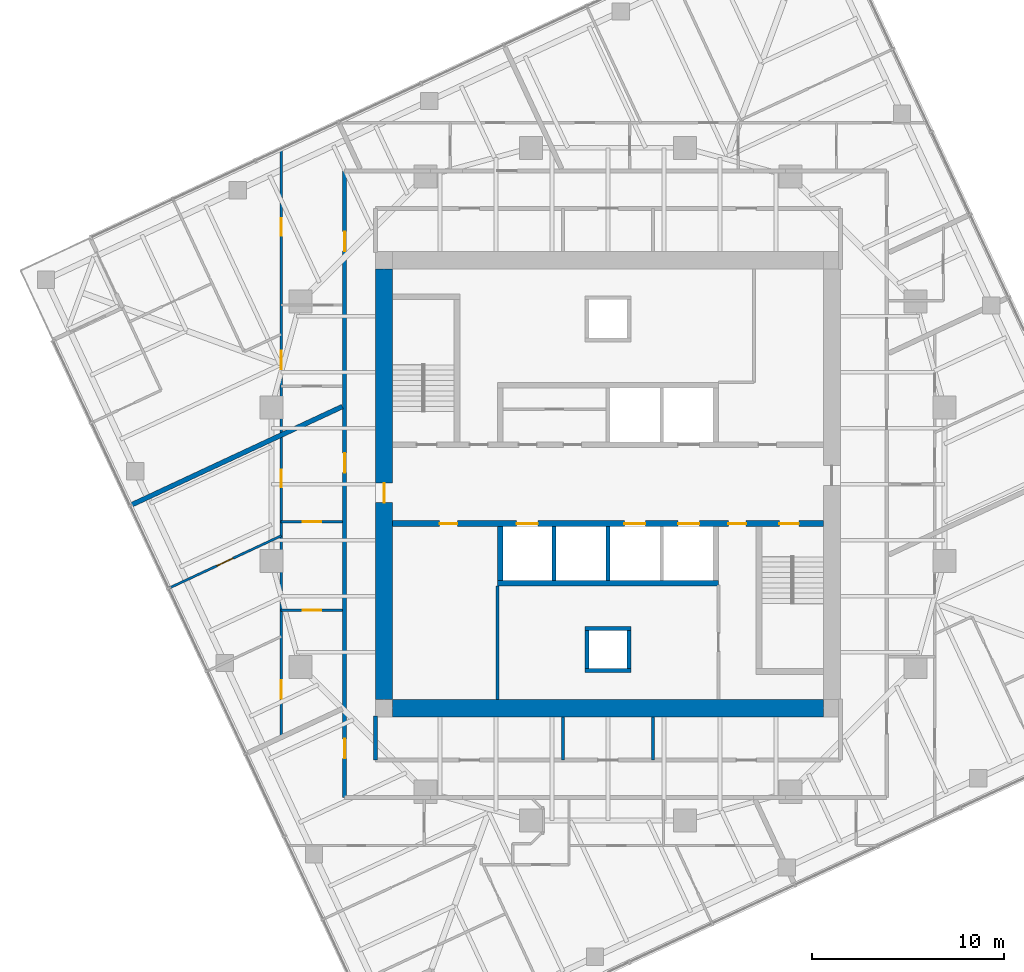
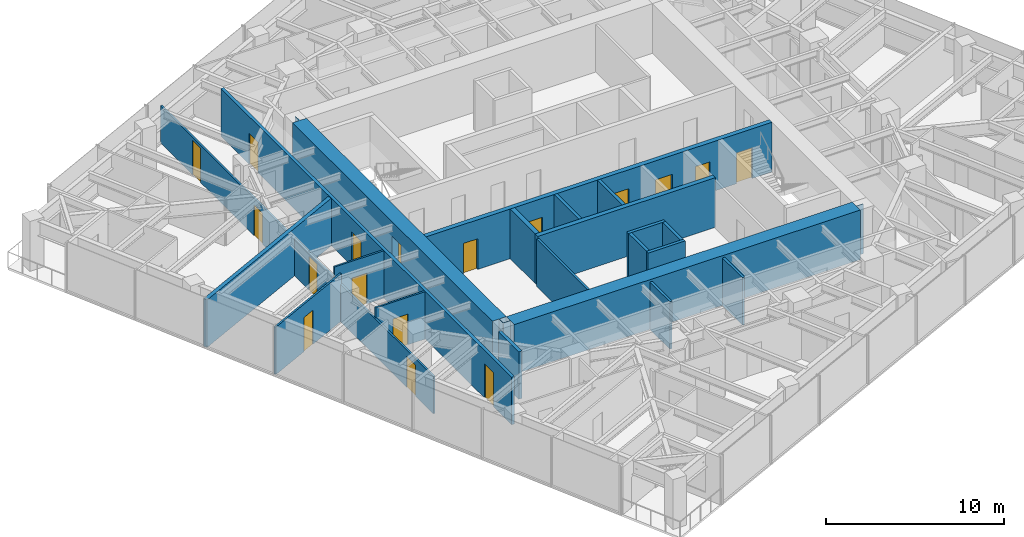
# One storey, part 8 of 13: 21 walls, 17 doors, 17 openings.
"""IFC4 building model written with IfcOpenShell, lengths in metres."""

from ifc_helpers import new_model, si_unit, direction, frame, frame_2d, origin, place, context, subcontext, project, spatial, polyline, rectangle, outline, extrude, material, layer, layer_set, type_object, element, fill, save


model = new_model("IFC4")

# Units and contexts
model_context = context("Model", 3, precision=1e-05, world=origin(), true_north=direction((0.0, 1.0)))
body_context = subcontext(model_context, "Body", "Model", "MODEL_VIEW")
ifc_project = project(units=[si_unit("LENGTHUNIT", "METRE"), si_unit("AREAUNIT", "SQUARE_METRE"), si_unit("VOLUMEUNIT", "CUBIC_METRE"), si_unit("PLANEANGLEUNIT", "RADIAN"), si_unit("MASSUNIT", "GRAM", prefix="KILO")], contexts=[model_context])

# Site, building, storey
site_placement = place(None, origin())
site = spatial("IfcSite", under=ifc_project, at=site_placement, CompositionType="ELEMENT")
building_placement = place(site_placement, origin())
building = spatial("IfcBuilding", under=site, at=building_placement, Name="Torsade Residences", CompositionType="ELEMENT")
storey_placement = place(building_placement, frame((0.0, 0.0, 176.0)))
storey = spatial("IfcBuildingStorey", under=building, at=storey_placement, Name="L48", CompositionType="ELEMENT", Elevation=176.0)

# Wall, openings, doors
ifc_material_1 = material(Name="Concrete 80 MPa", Category="concrete")
ifc_layer_1 = layer(ifc_material_1, 0.300048828125)
ifc_layer_set_1 = layer_set([ifc_layer_1], Name="Concrete 80 MPa")
wall_type_1 = type_object("IfcWallType", Name="CORE INTERNAL WALL 300", PredefinedType="SHEAR", material=ifc_layer_set_1)
wall_1_placement = place(storey_placement, frame((51.199951171875, 27.949951171875, 0.0), z_axis=(0.0, 0.0, 1.0), x_axis=(-1.0, 0.0, 0.0)))
wall_1 = element("IfcWall", 1, at=wall_1_placement, inside=storey, type_object=wall_type_1, Name="Core wall LS L48", PredefinedType="SHEAR", context=body_context, shape_type="SweptSolid", body=[
    extrude(rectangle(XDim=22.39990234375, YDim=0.300048828125, at=frame_2d((11.199951171875, 0.0))), origin(), (0.0, 0.0, 1.0), 3.39990234375),
])
opening_1_placement = place(wall_1_placement, frame((19.0400390625, 0.0, 0.0)))
opening_1 = element("IfcOpeningElement", 2, at=opening_1_placement, cuts=wall_1, Name="Opening D06", PredefinedType="OPENING", context=body_context, shape_type="SweptSolid", body=[
    extrude(rectangle(XDim=0.919921875, YDim=2.10009765625, at=frame_2d((0.4599609375, 1.050048828125))), frame((0.0, 0.159912109375, 0.0), z_axis=(0.0, -1.0, 0.0), x_axis=(1.0, 0.0, 0.0)), (0.0, 0.0, 1.0), 0.320068359375),
])
opening_2_placement = place(wall_1_placement, frame((1.264892578125, 0.0, 0.0)))
opening_2 = element("IfcOpeningElement", 3, at=opening_2_placement, cuts=wall_1, Name="Opening D03", PredefinedType="OPENING", context=body_context, shape_type="SweptSolid", body=[
    extrude(rectangle(XDim=1.02001953125, YDim=2.10009765625, at=frame_2d((0.510009765625, 1.050048828125))), frame((0.0, 0.159912109375, 0.0), z_axis=(0.0, -1.0, 0.0), x_axis=(1.0, 0.0, 0.0)), (0.0, 0.0, 1.0), 0.320068359375),
])
opening_3_placement = place(wall_1_placement, frame((4.014892578125, 0.0, 0.0)))
opening_3 = element("IfcOpeningElement", 4, at=opening_3_placement, cuts=wall_1, Name="Opening D06", PredefinedType="OPENING", context=body_context, shape_type="SweptSolid", body=[
    extrude(rectangle(XDim=0.919921875, YDim=2.10009765625, at=frame_2d((0.4599609375, 1.050048828125))), frame((0.0, 0.159912109375, 0.0), z_axis=(0.0, -1.0, 0.0), x_axis=(1.0, 0.0, 0.0)), (0.0, 0.0, 1.0), 0.320068359375),
])
opening_4_placement = place(wall_1_placement, frame((6.449951171875, 0.0, 0.0)))
opening_4 = element("IfcOpeningElement", 5, at=opening_4_placement, cuts=wall_1, Name="Opening LD", PredefinedType="OPENING", context=body_context, shape_type="SweptSolid", body=[
    extrude(rectangle(XDim=1.10009765625, YDim=2.10009765625, at=frame_2d((0.550048828125, 1.050048828125))), frame((0.0, 0.159912109375, 0.0), z_axis=(0.0, -1.0, 0.0), x_axis=(1.0, 0.0, 0.0)), (0.0, 0.0, 1.0), 0.320068359375),
])
opening_5_placement = place(wall_1_placement, frame((9.25, 0.0, 0.0)))
opening_5 = element("IfcOpeningElement", 6, at=opening_5_placement, cuts=wall_1, Name="Opening LD", PredefinedType="OPENING", context=body_context, shape_type="SweptSolid", body=[
    extrude(rectangle(XDim=1.10009765625, YDim=2.10009765625, at=frame_2d((0.550048828125, 1.050048828125))), frame((0.0, 0.159912109375, 0.0), z_axis=(0.0, -1.0, 0.0), x_axis=(1.0, 0.0, 0.0)), (0.0, 0.0, 1.0), 0.320068359375),
])
opening_6_placement = place(wall_1_placement, frame((14.85009765625, 0.0, 0.0)))
opening_6 = element("IfcOpeningElement", 7, at=opening_6_placement, cuts=wall_1, Name="Opening LD", PredefinedType="OPENING", context=body_context, shape_type="SweptSolid", body=[
    extrude(rectangle(XDim=1.10009765625, YDim=2.10009765625, at=frame_2d((0.550048828125, 1.050048828125))), frame((0.0, 0.159912109375, 0.0), z_axis=(0.0, -1.0, 0.0), x_axis=(1.0, 0.0, 0.0)), (0.0, 0.0, 1.0), 0.320068359375),
])
ifc_material_2 = material(Name="Steel-framed fire door", Category="steel")
door_type_1 = type_object("IfcDoorType", Name="FIRE DOOR 1020", OperationType="NOTDEFINED", PredefinedType="DOOR", material=ifc_material_2)
door_1_placement = place(opening_2_placement, origin())
door_1 = element("IfcDoor", 8, at=door_1_placement, inside=storey, type_object=door_type_1, Name="Exit door to fire-isolated stair ST2 L48", OperationType="SINGLE_SWING_RIGHT", OverallHeight=2.10009765625, OverallWidth=1.02001953125, PredefinedType="DOOR", context=body_context, shape_type="SweptSolid", body=[
    extrude(rectangle(XDim=1.02001953125, YDim=2.10009765625, at=frame_2d((0.510009765625, 1.050048828125))), frame((0.0, 0.02490234375, 0.0), z_axis=(0.0, -1.0, 0.0), x_axis=(1.0, 0.0, 0.0)), (0.0, 0.0, 1.0), 0.050048828125),
])
fill(opening_2, door_1)
ifc_material_3 = material(Name="Steel-framed fire door", Category="steel")
door_type_2 = type_object("IfcDoorType", Name="FIRE DOOR 920", OperationType="NOTDEFINED", PredefinedType="DOOR", material=ifc_material_3)
door_2_placement = place(opening_1_placement, origin())
door_2 = element("IfcDoor", 9, at=door_2_placement, inside=storey, type_object=door_type_2, Name="Door Lift lobby to Cleaner store", OperationType="SINGLE_SWING_LEFT", OverallHeight=2.10009765625, OverallWidth=0.919921875, PredefinedType="DOOR", context=body_context, shape_type="SweptSolid", body=[
    extrude(rectangle(XDim=0.919921875, YDim=2.10009765625, at=frame_2d((0.4599609375, 1.050048828125))), frame((0.0, 0.02490234375, 0.0), z_axis=(0.0, -1.0, 0.0), x_axis=(1.0, 0.0, 0.0)), (0.0, 0.0, 1.0), 0.050048828125),
])
fill(opening_1, door_2)
door_3_placement = place(opening_3_placement, origin())
door_3 = element("IfcDoor", 10, at=door_3_placement, inside=storey, type_object=door_type_2, Name="Door Lift lobby to Security and data store", OperationType="SINGLE_SWING_RIGHT", OverallHeight=2.10009765625, OverallWidth=0.919921875, PredefinedType="DOOR", context=body_context, shape_type="SweptSolid", body=[
    extrude(rectangle(XDim=0.919921875, YDim=2.10009765625, at=frame_2d((0.4599609375, 1.050048828125))), frame((0.0, 0.02490234375, 0.0), z_axis=(0.0, -1.0, 0.0), x_axis=(1.0, 0.0, 0.0)), (0.0, 0.0, 1.0), 0.050048828125),
])
fill(opening_3, door_3)
ifc_material_4 = material(Name="Stainless steel lift landing door", Category="steel")
door_type_3 = type_object("IfcDoorType", Name="LIFT LANDING DOOR 1100", OperationType="SLIDING_TO_LEFT", PredefinedType="DOOR", material=ifc_material_4)
door_4_placement = place(opening_4_placement, origin())
door_4 = element("IfcDoor", 11, at=door_4_placement, inside=storey, type_object=door_type_3, Name="Lift LB1 landing door L48", OperationType="SLIDING_TO_LEFT", OverallHeight=2.10009765625, OverallWidth=1.10009765625, PredefinedType="DOOR", context=body_context, shape_type="SweptSolid", body=[
    extrude(rectangle(XDim=1.10009765625, YDim=2.10009765625, at=frame_2d((0.550048828125, 1.050048828125))), frame((0.0, 0.02490234375, 0.0), z_axis=(0.0, -1.0, 0.0), x_axis=(1.0, 0.0, 0.0)), (0.0, 0.0, 1.0), 0.050048828125),
])
fill(opening_4, door_4)
door_5_placement = place(opening_5_placement, origin())
door_5 = element("IfcDoor", 12, at=door_5_placement, inside=storey, type_object=door_type_3, Name="Lift LB2 landing door L48", OperationType="SLIDING_TO_LEFT", OverallHeight=2.10009765625, OverallWidth=1.10009765625, PredefinedType="DOOR", context=body_context, shape_type="SweptSolid", body=[
    extrude(rectangle(XDim=1.10009765625, YDim=2.10009765625, at=frame_2d((0.550048828125, 1.050048828125))), frame((0.0, 0.02490234375, 0.0), z_axis=(0.0, -1.0, 0.0), x_axis=(1.0, 0.0, 0.0)), (0.0, 0.0, 1.0), 0.050048828125),
])
fill(opening_5, door_5)
door_6_placement = place(opening_6_placement, origin())
door_6 = element("IfcDoor", 13, at=door_6_placement, inside=storey, type_object=door_type_3, Name="Lift FL2 landing door L48", OperationType="SLIDING_TO_LEFT", OverallHeight=2.10009765625, OverallWidth=1.10009765625, PredefinedType="DOOR", context=body_context, shape_type="SweptSolid", body=[
    extrude(rectangle(XDim=1.10009765625, YDim=2.10009765625, at=frame_2d((0.550048828125, 1.050048828125))), frame((0.0, 0.02490234375, 0.0), z_axis=(0.0, -1.0, 0.0), x_axis=(1.0, 0.0, 0.0)), (0.0, 0.0, 1.0), 0.050048828125),
])
fill(opening_6, door_6)

# Walls
wall_2_placement = place(storey_placement, frame((45.75, 24.85009765625, 0.0), z_axis=(0.0, 0.0, 1.0), x_axis=(-1.0, 0.0, 0.0)))
element("IfcWall", 14, at=wall_2_placement, inside=storey, type_object=wall_type_1, Name="Core wall BS L48", PredefinedType="SHEAR", context=body_context, shape_type="SweptSolid", body=[
    extrude(rectangle(XDim=11.5, YDim=0.300048828125, at=frame_2d((5.75, 0.0))), origin(), (0.0, 0.0, 1.0), 3.39990234375),
])
wall_3_placement = place(storey_placement, frame((34.39990234375, 27.800048828125, 0.0), z_axis=(0.0, 0.0, 1.0), x_axis=(0.0, -1.0, 0.0)))
element("IfcWall", 15, at=wall_3_placement, inside=storey, type_object=wall_type_1, Name="Core wall DS4 L48", PredefinedType="SHEAR", context=body_context, shape_type="SweptSolid", body=[
    extrude(rectangle(XDim=2.800048828125, YDim=0.300048828125, at=frame_2d((1.39990234375, 0.0))), origin(), (0.0, 0.0, 1.0), 3.39990234375),
])
ifc_material_5 = material(Name="Concrete 80 MPa", Category="concrete")
ifc_layer_2 = layer(ifc_material_5, 0.89990234375)
ifc_layer_set_2 = layer_set([ifc_layer_2], Name="Concrete 80 MPa")
wall_type_2 = type_object("IfcWallType", Name="CORE WALL 900", PredefinedType="SHEAR", material=ifc_layer_set_2)
wall_4_placement = place(storey_placement, frame((51.199951171875, 18.35009765625, 0.0), z_axis=(0.0, 0.0, 1.0), x_axis=(-1.0, 0.0, 0.0)))
element("IfcWall", 16, at=wall_4_placement, inside=storey, type_object=wall_type_2, Name="Core wall S L48", PredefinedType="SHEAR", context=body_context, shape_type="SweptSolid", body=[
    extrude(outline(polyline([(0.0, -0.449951171875), (22.39990234375, -0.449951171875), (22.39990234375, -0.02490234375), (22.849853515625, -0.02490234375), (22.849853515625, 0.02490234375), (22.39990234375, 0.02490234375), (22.39990234375, 0.449951171875), (0.0, 0.449951171875), (0.0, 0.02490234375), (-0.449951171875, 0.02490234375), (-0.449951171875, -0.02490234375), (0.0, -0.02490234375), (0.0, -0.449951171875)])), origin(), (0.0, 0.0, 1.0), 3.39990234375),
])

# Wall, opening, door
wall_5_placement = place(storey_placement, frame((28.35009765625, 41.199951171875, 0.0), z_axis=(0.0, 0.0, 1.0), x_axis=(0.0, -1.0, 0.0)))
wall_5 = element("IfcWall", 17, at=wall_5_placement, inside=storey, type_object=wall_type_2, Name="Core wall W L48", PredefinedType="SHEAR", context=body_context, shape_type="SweptSolid", body=[
    extrude(outline(polyline([(0.0, -0.449951171875), (22.39990234375, -0.449951171875), (22.39990234375, -0.02490234375), (22.849853515625, -0.02490234375), (22.849853515625, 0.02490234375), (22.39990234375, 0.02490234375), (22.39990234375, 0.449951171875), (0.0, 0.449951171875), (0.0, 0.02490234375), (-0.449951171875, 0.02490234375), (-0.449951171875, -0.02490234375), (0.0, -0.02490234375), (0.0, -0.449951171875)])), origin(), (0.0, 0.0, 1.0), 3.39990234375),
])
opening_7_placement = place(wall_5_placement, frame((11.139892578125, 0.0, 0.0)))
opening_7 = element("IfcOpeningElement", 18, at=opening_7_placement, cuts=wall_5, Name="Opening D04", PredefinedType="OPENING", context=body_context, shape_type="SweptSolid", body=[
    extrude(rectangle(XDim=1.02001953125, YDim=2.39990234375, at=frame_2d((0.510009765625, 1.199951171875))), frame((0.0, 0.4599609375, 0.0), z_axis=(0.0, -1.0, 0.0), x_axis=(1.0, 0.0, 0.0)), (0.0, 0.0, 1.0), 0.919921875),
])
ifc_material_6 = material(Name="Steel-framed fire door", Category="steel")
door_type_4 = type_object("IfcDoorType", Name="LOBBY SMOKE DOOR 1020x2400", OperationType="NOTDEFINED", PredefinedType="DOOR", material=ifc_material_6)
door_7_placement = place(opening_7_placement, origin())
door_7 = element("IfcDoor", 19, at=door_7_placement, inside=storey, type_object=door_type_4, Name="Lift lobby door W L48", OperationType="SINGLE_SWING_RIGHT", OverallHeight=2.39990234375, OverallWidth=1.02001953125, PredefinedType="DOOR", context=body_context, shape_type="SweptSolid", body=[
    extrude(rectangle(XDim=1.02001953125, YDim=2.39990234375, at=frame_2d((0.510009765625, 1.199951171875))), frame((0.0, 0.02490234375, 0.0), z_axis=(0.0, -1.0, 0.0), x_axis=(1.0, 0.0, 0.0)), (0.0, 0.0, 1.0), 0.050048828125),
])
fill(opening_7, door_7)

# Wall, openings, doors
ifc_material_7 = material(Name="Plasterboard on steel stud", Category="steel")
ifc_layer_3 = layer(ifc_material_7, 0.199951171875)
ifc_layer_set_3 = layer_set([ifc_layer_3], Name="Plasterboard on steel stud")
wall_type_3 = type_object("IfcWallType", Name="CORRIDOR WALL 200", PredefinedType="PARTITIONING", material=ifc_layer_set_3)
wall_6_placement = place(storey_placement, frame((26.300048828125, 46.300048828125, 0.0), z_axis=(0.0, 0.0, 1.0), x_axis=(0.0, -1.0, 0.0)))
wall_6 = element("IfcWall", 20, at=wall_6_placement, inside=storey, type_object=wall_type_3, Name="Corridor wall L48", PredefinedType="PARTITIONING", context=body_context, shape_type="SweptSolid", body=[
    extrude(rectangle(XDim=32.60009765625, YDim=0.199951171875, at=frame_2d((16.300048828125, 0.0))), origin(), (0.0, 0.0, 1.0), 3.25),
])
opening_8_placement = place(wall_6_placement, frame((3.156005859375, 0.0, 0.0)))
opening_8 = element("IfcOpeningElement", 21, at=opening_8_placement, cuts=wall_6, Name="Opening D01L", PredefinedType="OPENING", context=body_context, shape_type="SweptSolid", body=[
    extrude(rectangle(XDim=1.02001953125, YDim=2.10009765625, at=frame_2d((0.510009765625, 1.050048828125))), frame((0.0, 0.10986328125, 0.0), z_axis=(0.0, -1.0, 0.0), x_axis=(1.0, 0.0, 0.0)), (0.0, 0.0, 1.0), 0.219970703125),
])
opening_9_placement = place(wall_6_placement, frame((14.68017578125, 0.0, 0.0)))
opening_9 = element("IfcOpeningElement", 22, at=opening_9_placement, cuts=wall_6, Name="Opening D01", PredefinedType="OPENING", context=body_context, shape_type="SweptSolid", body=[
    extrude(rectangle(XDim=1.02001953125, YDim=2.340087890625, at=frame_2d((0.510009765625, 1.169921875))), frame((0.0, 0.10986328125, 0.0), z_axis=(0.0, -1.0, 0.0), x_axis=(1.0, 0.0, 0.0)), (0.0, 0.0, 1.0), 0.219970703125),
])
opening_10_placement = place(wall_6_placement, frame((29.54345703125, 0.0, 0.0)))
opening_10 = element("IfcOpeningElement", 23, at=opening_10_placement, cuts=wall_6, Name="Opening D01", PredefinedType="OPENING", context=body_context, shape_type="SweptSolid", body=[
    extrude(rectangle(XDim=1.02001953125, YDim=2.340087890625, at=frame_2d((0.510009765625, 1.169921875))), frame((0.0, 0.10986328125, 0.0), z_axis=(0.0, -1.0, 0.0), x_axis=(1.0, 0.0, 0.0)), (0.0, 0.0, 1.0), 0.219970703125),
])
ifc_material_8 = material(Name="Solid-core timber fire door", Category="wood")
door_type_5 = type_object("IfcDoorType", Name="APARTMENT ENTRY DOOR 1020x2100", OperationType="NOTDEFINED", PredefinedType="DOOR", material=ifc_material_8)
door_8_placement = place(opening_8_placement, origin())
door_8 = element("IfcDoor", 24, at=door_8_placement, inside=storey, type_object=door_type_5, Name="Door Residential corridor to Kitchen and dining", OperationType="SINGLE_SWING_LEFT", OverallHeight=2.10009765625, OverallWidth=1.02001953125, PredefinedType="DOOR", context=body_context, shape_type="SweptSolid", body=[
    extrude(rectangle(XDim=1.02001953125, YDim=2.10009765625, at=frame_2d((0.510009765625, 1.050048828125))), frame((0.0, 0.02490234375, 0.0), z_axis=(0.0, -1.0, 0.0), x_axis=(1.0, 0.0, 0.0)), (0.0, 0.0, 1.0), 0.050048828125),
])
fill(opening_8, door_8)
ifc_material_9 = material(Name="Solid-core timber fire door", Category="wood")
door_type_6 = type_object("IfcDoorType", Name="APARTMENT ENTRY DOOR 1020x2340", OperationType="NOTDEFINED", PredefinedType="DOOR", material=ifc_material_9)
door_9_placement = place(opening_9_placement, origin())
door_9 = element("IfcDoor", 25, at=door_9_placement, inside=storey, type_object=door_type_6, Name="Door Residential corridor to Kitchen and dining", OperationType="SINGLE_SWING_RIGHT", OverallHeight=2.340087890625, OverallWidth=1.02001953125, PredefinedType="DOOR", context=body_context, shape_type="SweptSolid", body=[
    extrude(rectangle(XDim=1.02001953125, YDim=2.340087890625, at=frame_2d((0.510009765625, 1.169921875))), frame((0.0, 0.02490234375, 0.0), z_axis=(0.0, -1.0, 0.0), x_axis=(1.0, 0.0, 0.0)), (0.0, 0.0, 1.0), 0.050048828125),
])
fill(opening_9, door_9)
door_10_placement = place(opening_10_placement, origin())
door_10 = element("IfcDoor", 26, at=door_10_placement, inside=storey, type_object=door_type_6, Name="Door Residential corridor to Kitchen and dining", OperationType="SINGLE_SWING_RIGHT", OverallHeight=2.340087890625, OverallWidth=1.02001953125, PredefinedType="DOOR", context=body_context, shape_type="SweptSolid", body=[
    extrude(rectangle(XDim=1.02001953125, YDim=2.340087890625, at=frame_2d((0.510009765625, 1.169921875))), frame((0.0, 0.02490234375, 0.0), z_axis=(0.0, -1.0, 0.0), x_axis=(1.0, 0.0, 0.0)), (0.0, 0.0, 1.0), 0.050048828125),
])
fill(opening_10, door_10)

# Walls
wall_7_placement = place(storey_placement, frame((27.89990234375, 17.949951171875, 0.0), z_axis=(0.0, 0.0, 1.0), x_axis=(0.0, -1.0, 0.0)))
element("IfcWall", 27, at=wall_7_placement, inside=storey, type_object=wall_type_3, Name="Corridor wall L48", PredefinedType="PARTITIONING", context=body_context, shape_type="SweptSolid", body=[
    extrude(rectangle(XDim=2.300048828125, YDim=0.199951171875, at=frame_2d((1.14990234375, 0.0))), origin(), (0.0, 0.0, 1.0), 3.25),
])
ifc_material_10 = material(Name="Reinforced blockwork", Category="masonry")
ifc_layer_4 = layer(ifc_material_10, 0.199951171875)
ifc_layer_set_4 = layer_set([ifc_layer_4], Name="Reinforced blockwork")
wall_type_4 = type_object("IfcWallType", Name="LIFT SHAFT DIVIDING WALL 200", PredefinedType="SOLIDWALL", material=ifc_layer_set_4)
for number, where, z_axis, x_axis, name in (
    (28, (40.0, 27.800048828125, 0.0), (0.0, 0.0, 1.0), (0.0, -1.0, 0.0), "Core wall DS2 L48"),
    (29, (37.199951171875, 27.800048828125, 0.0), (0.0, 0.0, 1.0), (0.0, -1.0, 0.0), "Core wall DS3 L48"),
):
    element("IfcWall", number, at=place(storey_placement, frame(where, z_axis=z_axis, x_axis=x_axis)), inside=storey, type_object=wall_type_4, Name=name, PredefinedType="SOLIDWALL", context=body_context, shape_type="SweptSolid", body=[
        extrude(rectangle(XDim=2.800048828125, YDim=0.199951171875, at=frame_2d((1.39990234375, 0.0))), origin(), (0.0, 0.0, 1.0), 3.39990234375),
    ])

# Wall, opening, door
ifc_material_11 = material(Name="Plasterboard on steel stud", Category="steel")
ifc_layer_5 = layer(ifc_material_11, 0.1201171875)
ifc_layer_set_5 = layer_set([ifc_layer_5], Name="Plasterboard on steel stud")
wall_type_5 = type_object("IfcWallType", Name="PARTITION 120", PredefinedType="PARTITIONING", material=ifc_layer_set_5)
wall_8_placement = place(storey_placement, frame((26.199951171875, 28.0537109375, 0.0), z_axis=(0.0, 0.0, 1.0), x_axis=(-1.0, 0.0, 0.0)))
wall_8 = element("IfcWall", 30, at=wall_8_placement, inside=storey, type_object=wall_type_5, Name="Partition L48", PredefinedType="PARTITIONING", context=body_context, shape_type="SweptSolid", body=[
    extrude(rectangle(XDim=3.199951171875, YDim=0.1201171875, at=frame_2d((1.60009765625, 0.0))), origin(), (0.0, 0.0, 1.0), 3.25),
])
opening_11_placement = place(wall_8_placement, frame((1.1201171875, 0.0, 0.0)))
opening_11 = element("IfcOpeningElement", 31, at=opening_11_placement, cuts=wall_8, Name="Opening D05", PredefinedType="OPENING", context=body_context, shape_type="SweptSolid", body=[
    extrude(rectangle(XDim=0.9599609375, YDim=2.10009765625, at=frame_2d((0.47998046875, 1.050048828125))), frame((0.0, 0.070068359375, 0.0), z_axis=(0.0, -1.0, 0.0), x_axis=(1.0, 0.0, 0.0)), (0.0, 0.0, 1.0), 0.14013671875),
])
ifc_material_12 = material(Name="Hollow-core timber door in a steel cavity frame", Category="steel")
door_type_7 = type_object("IfcDoorType", Name="BATHROOM CAVITY SLIDING DOOR 960", OperationType="SLIDING_TO_LEFT", PredefinedType="DOOR", material=ifc_material_12)
door_11_placement = place(opening_11_placement, origin())
door_11 = element("IfcDoor", 32, at=door_11_placement, inside=storey, type_object=door_type_7, Name="Door Kitchen and dining to Ensuite", OperationType="SLIDING_TO_LEFT", OverallHeight=2.10009765625, OverallWidth=0.9599609375, PredefinedType="DOOR", context=body_context, shape_type="SweptSolid", body=[
    extrude(rectangle(XDim=0.9599609375, YDim=2.10009765625, at=frame_2d((0.47998046875, 1.050048828125))), frame((0.0, 0.02490234375, 0.0), z_axis=(0.0, -1.0, 0.0), x_axis=(1.0, 0.0, 0.0)), (0.0, 0.0, 1.0), 0.050048828125),
])
fill(opening_11, door_11)

# Wall, openings, doors
wall_9_placement = place(storey_placement, frame((23.0, 16.831787109375, 0.0), z_axis=(0.0, 0.0, 1.0), x_axis=(0.0, 1.0, 0.0)))
wall_9 = element("IfcWall", 33, at=wall_9_placement, inside=storey, type_object=wall_type_5, Name="Partition L48", PredefinedType="PARTITIONING", context=body_context, shape_type="SweptSolid", body=[
    extrude(rectangle(XDim=30.574462890625, YDim=0.1201171875, at=frame_2d((15.287109375, 0.0))), origin(), (0.0, 0.0, 1.0), 2.550048828125),
])
opening_12_placement = place(wall_9_placement, frame((26.092529296875, 0.0, 0.0)))
opening_12 = element("IfcOpeningElement", 34, at=opening_12_placement, cuts=wall_9, Name="Opening D02", PredefinedType="OPENING", context=body_context, shape_type="SweptSolid", body=[
    extrude(rectangle(XDim=0.919921875, YDim=2.340087890625, at=frame_2d((0.4599609375, 1.169921875))), frame((0.0, 0.070068359375, 0.0), z_axis=(0.0, -1.0, 0.0), x_axis=(1.0, 0.0, 0.0)), (0.0, 0.0, 1.0), 0.14013671875),
])
opening_13_placement = place(wall_9_placement, frame((13.012451171875, 0.0, 0.0)))
opening_13 = element("IfcOpeningElement", 35, at=opening_13_placement, cuts=wall_9, Name="Opening D02", PredefinedType="OPENING", context=body_context, shape_type="SweptSolid", body=[
    extrude(rectangle(XDim=0.919921875, YDim=2.340087890625, at=frame_2d((0.4599609375, 1.169921875))), frame((0.0, 0.070068359375, 0.0), z_axis=(0.0, -1.0, 0.0), x_axis=(1.0, 0.0, 0.0)), (0.0, 0.0, 1.0), 0.14013671875),
])
opening_14_placement = place(wall_9_placement, frame((19.159912109375, 0.0, 0.0)))
opening_14 = element("IfcOpeningElement", 36, at=opening_14_placement, cuts=wall_9, Name="Opening D05", PredefinedType="OPENING", context=body_context, shape_type="SweptSolid", body=[
    extrude(rectangle(XDim=0.9599609375, YDim=2.10009765625, at=frame_2d((0.47998046875, 1.050048828125))), frame((0.0, 0.070068359375, 0.0), z_axis=(0.0, -1.0, 0.0), x_axis=(1.0, 0.0, 0.0)), (0.0, 0.0, 1.0), 0.14013671875),
])
opening_15_placement = place(wall_9_placement, frame((2.01806640625, 0.0, 0.0)))
opening_15 = element("IfcOpeningElement", 37, at=opening_15_placement, cuts=wall_9, Name="Opening D05", PredefinedType="OPENING", context=body_context, shape_type="SweptSolid", body=[
    extrude(rectangle(XDim=0.9599609375, YDim=2.10009765625, at=frame_2d((0.47998046875, 1.050048828125))), frame((0.0, 0.070068359375, 0.0), z_axis=(0.0, -1.0, 0.0), x_axis=(1.0, 0.0, 0.0)), (0.0, 0.0, 1.0), 0.14013671875),
])
door_12_placement = place(opening_14_placement, origin())
door_12 = element("IfcDoor", 38, at=door_12_placement, inside=storey, type_object=door_type_7, Name="Door Bathroom to Living room", OperationType="SLIDING_TO_LEFT", OverallHeight=2.10009765625, OverallWidth=0.9599609375, PredefinedType="DOOR", context=body_context, shape_type="SweptSolid", body=[
    extrude(rectangle(XDim=0.9599609375, YDim=2.10009765625, at=frame_2d((0.47998046875, 1.050048828125))), frame((0.0, 0.02490234375, 0.0), z_axis=(0.0, -1.0, 0.0), x_axis=(1.0, 0.0, 0.0)), (0.0, 0.0, 1.0), 0.050048828125),
])
fill(opening_14, door_12)
door_13_placement = place(opening_15_placement, origin())
door_13 = element("IfcDoor", 39, at=door_13_placement, inside=storey, type_object=door_type_7, Name="Door Bathroom to Bedroom 2", OperationType="SLIDING_TO_LEFT", OverallHeight=2.10009765625, OverallWidth=0.9599609375, PredefinedType="DOOR", context=body_context, shape_type="SweptSolid", body=[
    extrude(rectangle(XDim=0.9599609375, YDim=2.10009765625, at=frame_2d((0.47998046875, 1.050048828125))), frame((0.0, 0.02490234375, 0.0), z_axis=(0.0, -1.0, 0.0), x_axis=(1.0, 0.0, 0.0)), (0.0, 0.0, 1.0), 0.050048828125),
])
fill(opening_15, door_13)
ifc_material_13 = material(Name="Hollow-core timber door", Category="wood")
door_type_8 = type_object("IfcDoorType", Name="INTERNAL DOOR 920x2340", OperationType="NOTDEFINED", PredefinedType="DOOR", material=ifc_material_13)
door_14_placement = place(opening_12_placement, origin())
door_14 = element("IfcDoor", 40, at=door_14_placement, inside=storey, type_object=door_type_8, Name="Door Kitchen and dining to Bedroom 1", OperationType="SINGLE_SWING_LEFT", OverallHeight=2.340087890625, OverallWidth=0.919921875, PredefinedType="DOOR", context=body_context, shape_type="SweptSolid", body=[
    extrude(rectangle(XDim=0.919921875, YDim=2.340087890625, at=frame_2d((0.4599609375, 1.169921875))), frame((0.0, 0.02490234375, 0.0), z_axis=(0.0, -1.0, 0.0), x_axis=(1.0, 0.0, 0.0)), (0.0, 0.0, 1.0), 0.050048828125),
])
fill(opening_12, door_14)
door_15_placement = place(opening_13_placement, origin())
door_15 = element("IfcDoor", 41, at=door_15_placement, inside=storey, type_object=door_type_8, Name="Door Kitchen and dining to Living room", OperationType="SINGLE_SWING_RIGHT", OverallHeight=2.340087890625, OverallWidth=0.919921875, PredefinedType="DOOR", context=body_context, shape_type="SweptSolid", body=[
    extrude(rectangle(XDim=0.919921875, YDim=2.340087890625, at=frame_2d((0.4599609375, 1.169921875))), frame((0.0, 0.02490234375, 0.0), z_axis=(0.0, -1.0, 0.0), x_axis=(1.0, 0.0, 0.0)), (0.0, 0.0, 1.0), 0.050048828125),
])
fill(opening_13, door_15)

# Wall, opening, door
wall_10_placement = place(storey_placement, frame((23.0, 23.436279296875, 0.0), z_axis=(0.0, 0.0, 1.0), x_axis=(1.0, 0.0, 0.0)))
wall_10 = element("IfcWall", 42, at=wall_10_placement, inside=storey, type_object=wall_type_5, Name="Partition L48", PredefinedType="PARTITIONING", context=body_context, shape_type="SweptSolid", body=[
    extrude(rectangle(XDim=3.199951171875, YDim=0.1201171875, at=frame_2d((1.60009765625, 0.0))), origin(), (0.0, 0.0, 1.0), 3.25),
])
opening_16_placement = place(wall_10_placement, frame((1.1201171875, 0.0, 0.0)))
opening_16 = element("IfcOpeningElement", 43, at=opening_16_placement, cuts=wall_10, Name="Opening D05", PredefinedType="OPENING", context=body_context, shape_type="SweptSolid", body=[
    extrude(rectangle(XDim=0.9599609375, YDim=2.10009765625, at=frame_2d((0.47998046875, 1.050048828125))), frame((0.0, 0.070068359375, 0.0), z_axis=(0.0, -1.0, 0.0), x_axis=(1.0, 0.0, 0.0)), (0.0, 0.0, 1.0), 0.14013671875),
])
door_16_placement = place(opening_16_placement, origin())
door_16 = element("IfcDoor", 44, at=door_16_placement, inside=storey, type_object=door_type_7, Name="Door Ensuite to Bathroom", OperationType="SLIDING_TO_LEFT", OverallHeight=2.10009765625, OverallWidth=0.9599609375, PredefinedType="DOOR", context=body_context, shape_type="SweptSolid", body=[
    extrude(rectangle(XDim=0.9599609375, YDim=2.10009765625, at=frame_2d((0.47998046875, 1.050048828125))), frame((0.0, 0.02490234375, 0.0), z_axis=(0.0, -1.0, 0.0), x_axis=(1.0, 0.0, 0.0)), (0.0, 0.0, 1.0), 0.050048828125),
])
fill(opening_16, door_16)

wall_11_placement = place(storey_placement, frame((23.0, 27.313720703125, 0.0), z_axis=(0.0, 0.0, 1.0), x_axis=(-0.906305562553, -0.422623032129, 0.0)))
wall_11 = element("IfcWall", 45, at=wall_11_placement, inside=storey, type_object=wall_type_5, Name="Partition L48", PredefinedType="PARTITIONING", context=body_context, shape_type="SweptSolid", body=[
    extrude(rectangle(XDim=6.41748046875, YDim=0.1201171875, at=frame_2d((3.208740234375, 0.0))), origin(), (0.0, 0.0, 1.0), 3.25),
])
opening_17_placement = place(wall_11_placement, frame((2.768798828125, 0.0, 0.0)))
opening_17 = element("IfcOpeningElement", 46, at=opening_17_placement, cuts=wall_11, Name="Opening D02", PredefinedType="OPENING", context=body_context, shape_type="SweptSolid", body=[
    extrude(rectangle(XDim=0.919921875, YDim=2.340087890625, at=frame_2d((0.4599609375, 1.169921875))), frame((0.0, 0.070068359375, 0.0), z_axis=(0.0, -1.0, 0.0), x_axis=(1.0, 0.0, 0.0)), (0.0, 0.0, 1.0), 0.14013671875),
])
door_17_placement = place(opening_17_placement, origin())
door_17 = element("IfcDoor", 47, at=door_17_placement, inside=storey, type_object=door_type_8, Name="Door Living room to Bedroom 1", OperationType="SINGLE_SWING_LEFT", OverallHeight=2.340087890625, OverallWidth=0.919921875, PredefinedType="DOOR", context=body_context, shape_type="SweptSolid", body=[
    extrude(rectangle(XDim=0.919921875, YDim=2.340087890625, at=frame_2d((0.4599609375, 1.169921875))), frame((0.0, 0.02490234375, 0.0), z_axis=(0.0, -1.0, 0.0), x_axis=(1.0, 0.0, 0.0)), (0.0, 0.0, 1.0), 0.050048828125),
])
fill(opening_17, door_17)

# Walls
ifc_material_14 = material(Name="Masonry-lined stud party wall", Category="masonry")
ifc_layer_6 = layer(ifc_material_14, 0.25)
ifc_layer_set_6 = layer_set([ifc_layer_6], Name="Masonry-lined stud party wall")
wall_type_6 = type_object("IfcWallType", Name="PARTY WALL 250", PredefinedType="PARTITIONING", material=ifc_layer_set_6)
wall_12_placement = place(storey_placement, frame((15.14013671875, 28.8896484375, 0.0), z_axis=(0.0, 0.0, 1.0), x_axis=(0.906303906082, 0.422626584374, 0.0)))
element("IfcWall", 48, at=wall_12_placement, inside=storey, type_object=wall_type_6, Name="Party wall L48", PredefinedType="PARTITIONING", context=body_context, shape_type="SweptSolid", body=[
    extrude(rectangle(XDim=12.184814453125, YDim=0.25, at=frame_2d((6.09228515625, 0.0))), origin(), (0.0, 0.0, 1.0), 3.25),
])
ifc_material_15 = material(Name="Reinforced blockwork", Category="masonry")
ifc_layer_7 = layer(ifc_material_15, 0.199951171875)
ifc_layer_set_7 = layer_set([ifc_layer_7], Name="Reinforced blockwork")
wall_type_7 = type_object("IfcWallType", Name="RISER SHAFT WALL 200", PredefinedType="SOLIDWALL", material=ifc_layer_set_7)
for number, where, z_axis, x_axis, name in (
    (49, (38.89990234375, 22.39990234375, 0.0), (0.0, 0.0, 1.0), (0.0, -1.0, 0.0), "Core wall RS2a L48"),
    (50, (41.10009765625, 22.39990234375, 0.0), (0.0, 0.0, 1.0), (0.0, -1.0, 0.0), "Core wall RS2b L48"),
):
    element("IfcWall", number, at=place(storey_placement, frame(where, z_axis=z_axis, x_axis=x_axis)), inside=storey, type_object=wall_type_7, Name=name, PredefinedType="SOLIDWALL", context=body_context, shape_type="SweptSolid", body=[
        extrude(rectangle(XDim=2.0, YDim=0.199951171875, at=frame_2d((1.0, 0.0))), origin(), (0.0, 0.0, 1.0), 3.39990234375),
    ])
for number, where, z_axis, x_axis, name in (
    (51, (38.800048828125, 22.5, 0.0), (0.0, 0.0, 1.0), (1.0, 0.0, 0.0), "Core wall RS2c L48"),
    (52, (38.800048828125, 20.300048828125, 0.0), (0.0, 0.0, 1.0), (1.0, 0.0, 0.0), "Core wall RS2d L48"),
):
    element("IfcWall", number, at=place(storey_placement, frame(where, z_axis=z_axis, x_axis=x_axis)), inside=storey, type_object=wall_type_7, Name=name, PredefinedType="SOLIDWALL", context=body_context, shape_type="SweptSolid", body=[
        extrude(rectangle(XDim=2.39990234375, YDim=0.199951171875, at=frame_2d((1.199951171875, 0.0))), origin(), (0.0, 0.0, 1.0), 3.39990234375),
    ])
ifc_material_16 = material(Name="Reinforced blockwork", Category="masonry")
ifc_layer_8 = layer(ifc_material_16, 0.14990234375)
ifc_layer_set_8 = layer_set([ifc_layer_8], Name="Reinforced blockwork")
wall_type_8 = type_object("IfcWallType", Name="SERVICE ROOM WALL 150", PredefinedType="SOLIDWALL", material=ifc_layer_set_8)
wall_13_placement = place(storey_placement, frame((34.25, 18.800048828125, 0.0), z_axis=(0.0, 0.0, 1.0), x_axis=(0.0, 1.0, 0.0)))
element("IfcWall", 53, at=wall_13_placement, inside=storey, type_object=wall_type_8, Name="Service room wall L48", PredefinedType="SOLIDWALL", context=body_context, shape_type="SweptSolid", body=[
    extrude(rectangle(XDim=5.89990234375, YDim=0.14990234375, at=frame_2d((2.949951171875, 0.0))), origin(), (0.0, 0.0, 1.0), 3.25),
])
for number, where, z_axis, x_axis, name in (
    (54, (37.652587890625, 15.64990234375, 0.0), (0.0, 0.0, 1.0), (0.0, 1.0, 0.0), "Service room wall L48"),
    (55, (42.347412109375, 15.64990234375, 0.0), (0.0, 0.0, 1.0), (0.0, 1.0, 0.0), "Service room wall L48"),
):
    element("IfcWall", number, at=place(storey_placement, frame(where, z_axis=z_axis, x_axis=x_axis)), inside=storey, type_object=wall_type_8, Name=name, PredefinedType="SOLIDWALL", context=body_context, shape_type="SweptSolid", body=[
        extrude(rectangle(XDim=2.25, YDim=0.14990234375, at=frame_2d((1.125, 0.0))), origin(), (0.0, 0.0, 1.0), 3.25),
    ])

save(model, "model.ifc")
